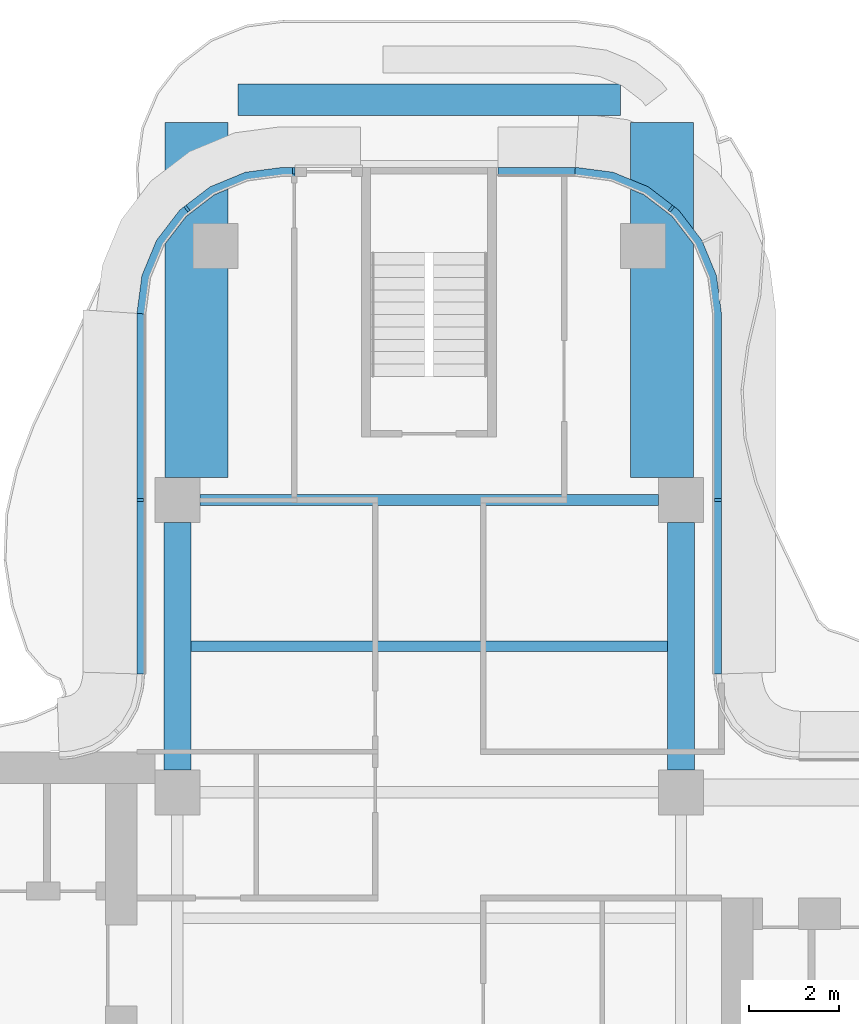
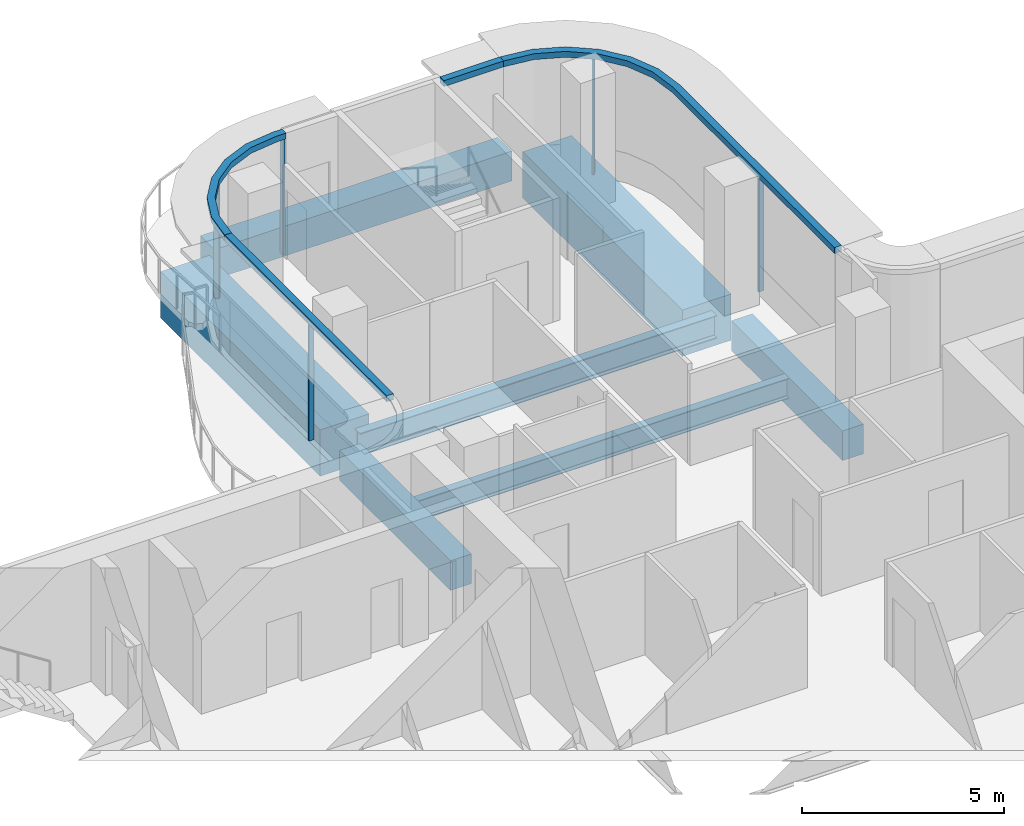
# One storey, part 7 of 16: 9 members, 7 beams, 4 elements without a shape of their own.
"""IFC4 building model written with IfcOpenShell, lengths in metres."""

from ifc_helpers import new_model, si_unit, direction, frame, origin, origin_2d, place, context, subcontext, project, spatial, polyline, rectangle, i_section, outline, extrude, source, transform, mapped, material, layer, layer_set, material_profile, profile_set, type_object, element, aggregate, save


model = new_model("IFC4")

# Units and contexts
model_context = context("Model", 3, precision=1e-05, world=origin(), true_north=direction((0.0, 1.0)))
body_context = subcontext(model_context, "Body", "Model", "MODEL_VIEW")
ifc_project = project(units=[si_unit("LENGTHUNIT", "METRE"), si_unit("AREAUNIT", "SQUARE_METRE"), si_unit("VOLUMEUNIT", "CUBIC_METRE"), si_unit("PLANEANGLEUNIT", "RADIAN"), si_unit("MASSUNIT", "GRAM", prefix="KILO")], contexts=[model_context])

# Site, building, storey
site_placement = place(None, origin())
site = spatial("IfcSite", under=ifc_project, at=site_placement, CompositionType="ELEMENT")
building_placement = place(site_placement, origin())
building = spatial("IfcBuilding", under=site, at=building_placement, Name="Trellis Farm Tower", CompositionType="ELEMENT")
storey_placement = place(building_placement, frame((0.0, 0.0, 302.800048828125)))
storey = spatial("IfcBuildingStorey", under=building, at=storey_placement, Name="L68", CompositionType="ELEMENT", Elevation=302.800048828125)

# Curtain wall, member
ifc_material_1 = material(Name="Aluminium and glass curtain wall", Category="aluminium")
ifc_layer_1 = layer(ifc_material_1, 0.18994140625)
ifc_layer_set_1 = layer_set([ifc_layer_1], Name="RIBBON CURTAIN WALL CW1")
curtain_wall_type = type_object("IfcCurtainWallType", Name="RIBBON CURTAIN WALL CW1", PredefinedType="NOTDEFINED", material=ifc_layer_set_1)
placement_1 = place(storey_placement, origin())
curtain_wall_1 = element("IfcCurtainWall", 1, at=placement_1, inside=storey, type_object=curtain_wall_type, Name="CW1 011", PredefinedType="NOTDEFINED")
ifc_material_2 = material(Name="Aluminium extrusion 6063-T6", Category="aluminium")
ifc_layer_2 = layer(ifc_material_2, 0.199951171875)
ifc_layer_set_2 = layer_set([ifc_layer_2], Name="Aluminium extrusion 6063-T6")
member_type_1 = type_object("IfcMemberType", Name="CW1 TRANSOM 200x180", PredefinedType="USERDEFINED", material=ifc_layer_set_2)
placement_2 = place(storey_placement, frame((0.0, 0.0, 3.52001953125)))
member_1 = element("IfcMember", 2, at=placement_2, type_object=member_type_1, Name="TR1 011", ObjectType="TRANSOM", PredefinedType="USERDEFINED", context=body_context, shape_type="SweptSolid", body=[
    extrude(outline(polyline([(-2.97998046875, 19.5), (-3.25, 19.5), (-4.091064453125, 19.38916015625), (-4.875, 19.064697265625), (-5.548095703125, 18.548095703125), (-6.064697265625, 17.875), (-6.38916015625, 17.091064453125), (-6.5, 16.25), (-6.300048828125, 16.23681640625), (-6.1943359375, 17.0390625), (-5.889892578125, 17.774169921875), (-5.405517578125, 18.405517578125), (-4.774169921875, 18.889892578125), (-4.0390625, 19.1943359375), (-3.23681640625, 19.300048828125), (-2.97998046875, 19.300048828125), (-2.97998046875, 19.5)])), origin(), (0.0, 0.0, 1.0), 0.179931640625),
])

# Beams
ifc_material_3 = material(Name="Steel S355", Category="steel")
ifc_material_profile_1 = material_profile(ifc_material_3, i_section(OverallWidth=0.22900390625, OverallDepth=0.6123046875, WebThickness=0.011962890625, FlangeThickness=0.01953125, FilletRadius=0.0126953125, at=origin_2d()), Name="UB 610x229x125")
ifc_profile_set_1 = profile_set([ifc_material_profile_1], Name="Steel S355")
beam_type_1 = type_object("IfcBeamType", Name="UB 610x229x125 joist", PredefinedType="JOIST", material=ifc_profile_set_1)
shared_shape_1 = source(origin(), body_context, "Body", "SweptSolid", [
    extrude(i_section(OverallWidth=0.22900390625, OverallDepth=0.6123046875, WebThickness=0.011962890625, FlangeThickness=0.01953125, FilletRadius=0.0126953125, at=origin_2d()), origin(), (0.0, 0.0, 1.0), 10.60009765625),
])
beam_1_placement = place(storey_placement, frame((-5.300048828125, 8.85009765625, -0.506103515625), z_axis=(1.0, 0.0, 0.0), x_axis=(0.0, 1.0, 0.0)))
element("IfcBeam", 3, at=beam_1_placement, inside=storey, type_object=beam_type_1, Name="Floor beam", PredefinedType="JOIST", context=body_context, shape_type="MappedRepresentation", body=[
    mapped(shared_shape_1, transform((0.0, 0.0, 0.0))),
])
ifc_material_profile_2 = material_profile(ifc_material_3, i_section(OverallWidth=0.253662109375, OverallDepth=0.68359375, WebThickness=0.012451171875, FlangeThickness=0.021728515625, FilletRadius=0.01513671875, at=origin_2d()), Name="UB 686x254x140")
ifc_profile_set_2 = profile_set([ifc_material_profile_2], Name="Steel S355")
beam_type_2 = type_object("IfcBeamType", Name="UB 686x254x140", PredefinedType="BEAM", material=ifc_profile_set_2)
shared_shape_2 = source(origin(), body_context, "Body", "SweptSolid", [
    extrude(i_section(OverallWidth=0.253662109375, OverallDepth=0.68359375, WebThickness=0.012451171875, FlangeThickness=0.021728515625, FilletRadius=0.01513671875, at=origin_2d()), origin(), (0.0, 0.0, 1.0), 10.2001953125),
])
beam_2_placement = place(storey_placement, frame((-5.10009765625, 12.10009765625, -0.541748046875), z_axis=(1.0, 0.0, 0.0), x_axis=(0.0, 1.0, 0.0)))
element("IfcBeam", 4, at=beam_2_placement, inside=storey, type_object=beam_type_2, Name="Girder", PredefinedType="BEAM", context=body_context, shape_type="MappedRepresentation", body=[
    mapped(shared_shape_2, transform((0.0, 0.0, 0.0))),
])
ifc_material_4 = material(Name="Concrete C60/75", Category="concrete")
ifc_material_profile_3 = material_profile(ifc_material_4, rectangle(XDim=0.60009765625, YDim=0.89990234375, at=origin_2d()), Name="RC spandrel beam 600x900 C60/75")
ifc_profile_set_3 = profile_set([ifc_material_profile_3], Name="Concrete C60/75")
beam_type_3 = type_object("IfcBeamType", Name="RC spandrel beam 600x900 C60/75", PredefinedType="SPANDREL", material=ifc_profile_set_3)
shared_shape_3 = source(origin(), body_context, "Body", "SweptSolid", [
    extrude(rectangle(XDim=0.60009765625, YDim=0.89990234375, at=origin_2d()), origin(), (0.0, 0.0, 1.0), 5.5),
])
for number, where, z_axis, x_axis, name in (
    (5, (-5.60009765625, 6.10009765625, -0.650146484375), (0.0, 1.0, 0.0), (-1.0, 0.0, 0.0), "Girder"),
    (6, (5.60009765625, 6.10009765625, -0.650146484375), (0.0, 1.0, 0.0), (-1.0, 0.0, 0.0), "Girder"),
):
    element("IfcBeam", number, at=place(storey_placement, frame(where, z_axis=z_axis, x_axis=x_axis)), inside=storey, type_object=beam_type_3, Name=name, PredefinedType="SPANDREL", context=body_context, shape_type="MappedRepresentation", body=[
        mapped(shared_shape_3, transform((0.0, 0.0, 0.0))),
    ])
ifc_material_profile_4 = material_profile(ifc_material_4, rectangle(XDim=0.699951171875, YDim=0.89990234375, at=origin_2d()), Name="RC spandrel beam 700x900 C60/75")
ifc_profile_set_4 = profile_set([ifc_material_profile_4], Name="Concrete C60/75")
beam_type_4 = type_object("IfcBeamType", Name="RC spandrel beam 700x900 C60/75", PredefinedType="SPANDREL", material=ifc_profile_set_4)
shared_shape_4 = source(origin(), body_context, "Body", "SweptSolid", [
    extrude(rectangle(XDim=0.699951171875, YDim=0.89990234375, at=origin_2d()), origin(), (0.0, 0.0, 1.0), 8.5),
])
beam_3_placement = place(storey_placement, frame((-4.25, 21.0, -0.650146484375), z_axis=(1.0, 0.0, 0.0), x_axis=(0.0, 1.0, 0.0)))
element("IfcBeam", 7, at=beam_3_placement, inside=storey, type_object=beam_type_4, Name="Girder", PredefinedType="SPANDREL", context=body_context, shape_type="MappedRepresentation", body=[
    mapped(shared_shape_4, transform((0.0, 0.0, 0.0))),
])
ifc_material_5 = material(Name="Concrete C80/95", Category="concrete")
ifc_material_profile_5 = material_profile(ifc_material_5, rectangle(XDim=1.39990234375, YDim=1.39990234375, at=origin_2d()), Name="RC transfer beam 1400x1400 C80/95")
ifc_profile_set_5 = profile_set([ifc_material_profile_5], Name="Concrete C80/95")
beam_type_5 = type_object("IfcBeamType", Name="RC transfer beam 1400x1400 C80/95", PredefinedType="BEAM", material=ifc_profile_set_5)
shared_shape_5 = source(origin(), body_context, "Body", "SweptSolid", [
    extrude(rectangle(XDim=1.39990234375, YDim=1.39990234375, at=origin_2d()), origin(), (0.0, 0.0, 1.0), 7.89990234375),
])
for number, where, z_axis, x_axis, name in (
    (8, (-5.175048828125, 12.60009765625, -0.900146484375), (0.0, 1.0, 0.0), (-1.0, 0.0, 0.0), "Transfer girder"),
    (9, (5.175048828125, 12.60009765625, -0.900146484375), (0.0, 1.0, 0.0), (-1.0, 0.0, 0.0), "Transfer girder"),
):
    element("IfcBeam", number, at=place(storey_placement, frame(where, z_axis=z_axis, x_axis=x_axis)), inside=storey, type_object=beam_type_5, Name=name, PredefinedType="BEAM", context=body_context, shape_type="MappedRepresentation", body=[
        mapped(shared_shape_5, transform((0.0, 0.0, 0.0))),
    ])

# Curtain wall, members
curtain_wall_2 = element("IfcCurtainWall", 10, at=placement_1, inside=storey, type_object=curtain_wall_type, Name="CW1 009", PredefinedType="NOTDEFINED")
ifc_material_profile_6 = material_profile(ifc_material_2, rectangle(XDim=0.06005859375, YDim=0.14990234375, at=origin_2d()), Name="MULLION 60x150")
ifc_profile_set_6 = profile_set([ifc_material_profile_6], Name="Aluminium extrusion 6063-T6")
member_type_2 = type_object("IfcMemberType", Name="CW1 MULLION 60x150", PredefinedType="MULLION", material=ifc_profile_set_6)
shared_shape_6 = source(origin(), body_context, "Body", "SweptSolid", [
    extrude(rectangle(XDim=0.06005859375, YDim=0.14990234375, at=origin_2d()), origin(), (0.0, 0.0, 1.0), 3.52001953125),
])
member_2_placement = place(storey_placement, frame((6.425048828125, 12.10009765625, 0.0), z_axis=(0.0, 0.0, 1.0), x_axis=(0.0, 1.0, 0.0)))
member_2 = element("IfcMember", 11, at=member_2_placement, type_object=member_type_2, Name="MU1 009-01", PredefinedType="MULLION", context=body_context, shape_type="MappedRepresentation", body=[
    mapped(shared_shape_6, transform((0.0, 0.0, 0.0))),
])
member_3_placement = place(storey_placement, frame((5.385498046875, 18.578369140625, 0.0), z_axis=(0.0, 0.0, 1.0), x_axis=(-0.793353340291, 0.608761429009, 0.0)))
member_3 = element("IfcMember", 12, at=member_3_placement, type_object=member_type_2, Name="MU1 009-02", PredefinedType="MULLION", context=body_context, shape_type="MappedRepresentation", body=[
    mapped(shared_shape_6, transform((0.0, 0.0, 0.0))),
])

# Member
member_4_placement = place(storey_placement, frame((-3.010009765625, 19.425048828125, 0.0), z_axis=(0.0, 0.0, 1.0), x_axis=(-1.0, 0.0, 0.0)))
member_4 = element("IfcMember", 13, at=member_4_placement, type_object=member_type_2, Name="MU1 011-01", PredefinedType="MULLION", context=body_context, shape_type="MappedRepresentation", body=[
    mapped(shared_shape_6, transform((0.0, 0.0, 0.0))),
])

member_5_placement = place(storey_placement, frame((-5.385498046875, 18.578369140625, 0.0), z_axis=(0.0, 0.0, 1.0), x_axis=(-0.793353340291, -0.608761429009, 0.0)))
member_5 = element("IfcMember", 14, at=member_5_placement, type_object=member_type_2, Name="MU1 011-02", PredefinedType="MULLION", context=body_context, shape_type="MappedRepresentation", body=[
    mapped(shared_shape_6, transform((0.0, 0.0, 0.0))),
])

aggregate(curtain_wall_1, [member_4, member_5, member_1])

# Curtain wall, member
curtain_wall_3 = element("IfcCurtainWall", 15, at=placement_1, inside=storey, type_object=curtain_wall_type, Name="CW1 012", PredefinedType="NOTDEFINED")
member_6_placement = place(storey_placement, frame((-6.425048828125, 12.10009765625, 0.0), z_axis=(0.0, 0.0, 1.0), x_axis=(0.0, -1.0, 0.0)))
member_6 = element("IfcMember", 16, at=member_6_placement, type_object=member_type_2, Name="MU1 012-01", PredefinedType="MULLION", context=body_context, shape_type="MappedRepresentation", body=[
    mapped(shared_shape_6, transform((0.0, 0.0, 0.0))),
])

# Member
shared_shape_7 = source(origin(), body_context, "Body", "SweptSolid", [
    extrude(outline(polyline([(6.5, 8.2314453125), (6.5, 16.25), (6.38916015625, 17.091064453125), (6.064697265625, 17.875), (5.548095703125, 18.548095703125), (4.875, 19.064697265625), (4.091064453125, 19.38916015625), (3.25, 19.5), (3.23681640625, 19.300048828125), (4.0390625, 19.1943359375), (4.774169921875, 18.889892578125), (5.405517578125, 18.405517578125), (5.889892578125, 17.774169921875), (6.1943359375, 17.0390625), (6.300048828125, 16.23681640625), (6.300048828125, 8.224853515625), (6.5, 8.2314453125)])), origin(), (0.0, 0.0, 1.0), 0.179931640625),
])
member_7 = element("IfcMember", 17, at=placement_2, type_object=member_type_1, Name="TR1 009", ObjectType="TRANSOM", PredefinedType="USERDEFINED", context=body_context, shape_type="MappedRepresentation", body=[
    mapped(shared_shape_7, transform((0.0, 0.0, 0.0))),
])

aggregate(curtain_wall_2, [member_2, member_3, member_7])

# Curtain wall, member
curtain_wall_4 = element("IfcCurtainWall", 18, at=placement_1, inside=storey, type_object=curtain_wall_type, Name="CW1 010", PredefinedType="NOTDEFINED")
shared_shape_8 = source(origin(), body_context, "Body", "SweptSolid", [
    extrude(outline(polyline([(3.25, 19.5), (1.530029296875, 19.5), (1.530029296875, 19.300048828125), (3.23681640625, 19.300048828125), (3.25, 19.5)])), origin(), (0.0, 0.0, 1.0), 0.179931640625),
])
member_8 = element("IfcMember", 19, at=placement_2, type_object=member_type_1, Name="TR1 010", ObjectType="TRANSOM", PredefinedType="USERDEFINED", context=body_context, shape_type="MappedRepresentation", body=[
    mapped(shared_shape_8, transform((0.0, 0.0, 0.0))),
])
aggregate(curtain_wall_4, [member_8])

# Member
shared_shape_9 = source(origin(), body_context, "Body", "SweptSolid", [
    extrude(outline(polyline([(-6.5, 16.25), (-6.5, 8.2314453125), (-6.300048828125, 8.224853515625), (-6.300048828125, 16.23681640625), (-6.5, 16.25)])), origin(), (0.0, 0.0, 1.0), 0.179931640625),
])
member_9 = element("IfcMember", 20, at=placement_2, type_object=member_type_1, Name="TR1 012", ObjectType="TRANSOM", PredefinedType="USERDEFINED", context=body_context, shape_type="MappedRepresentation", body=[
    mapped(shared_shape_9, transform((0.0, 0.0, 0.0))),
])

aggregate(curtain_wall_3, [member_6, member_9])

save(model, "model.ifc")
